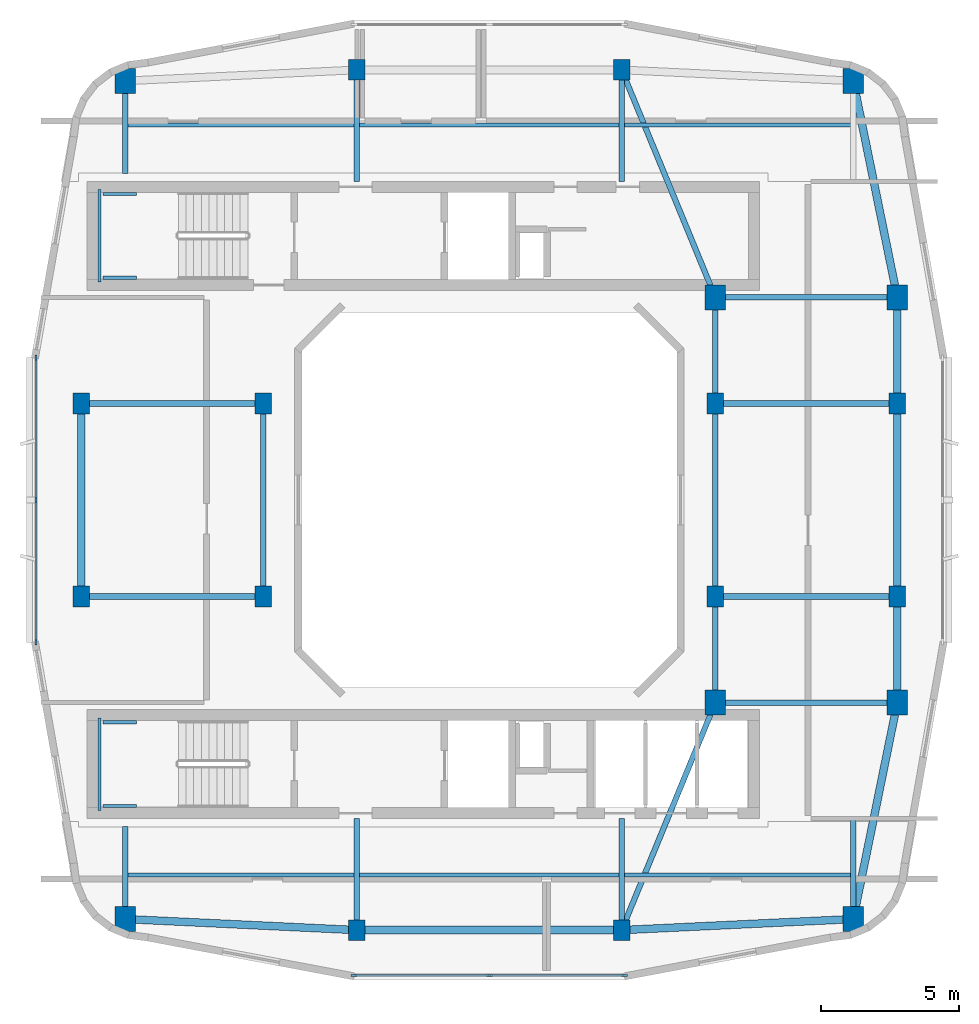
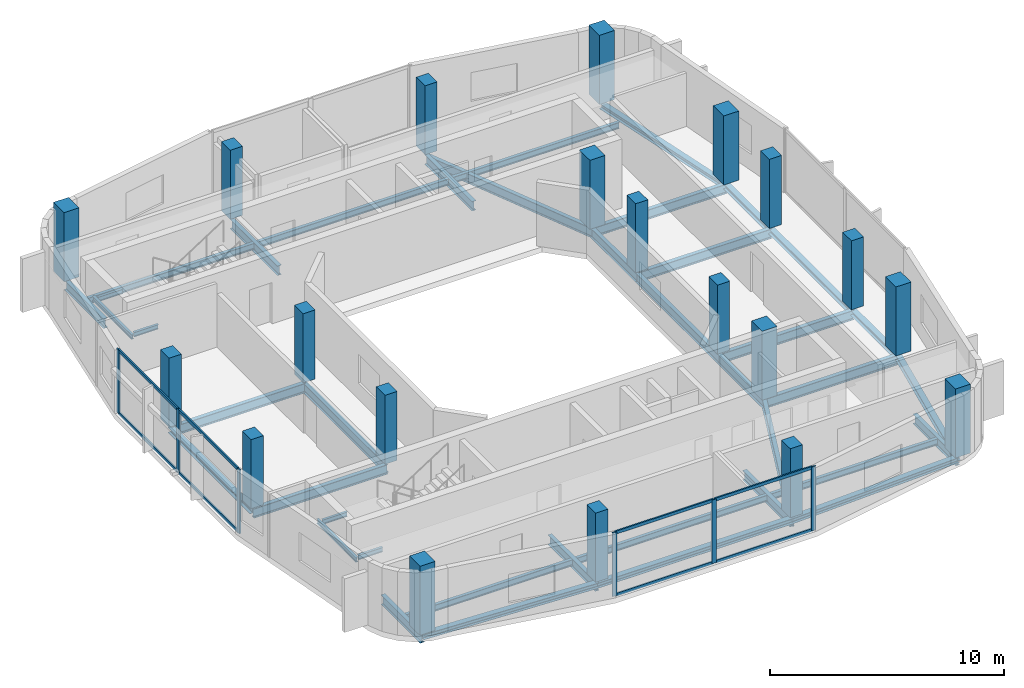
# One storey, part 1 of 8: 40 beams, 20 columns, 14 members, 2 elements without a shape of their own.
"""IFC4 building model written with IfcOpenShell, lengths in metres."""

from ifc_helpers import new_model, si_unit, derived_unit, direction, frame, origin, origin_2d, place, context, subcontext, project, spatial, rectangle, i_section, extrude, material, layer, layer_set, material_profile, profile_set, type_object, element, aggregate, save


model = new_model("IFC4")

# Units and contexts
model_context = context("Model", 3, precision=1e-05, world=origin(), true_north=direction((0.0, 1.0)))
body_context = subcontext(model_context, "Body", "Model", "MODEL_VIEW")
ifc_project = project(units=[si_unit("LENGTHUNIT", "METRE"), si_unit("AREAUNIT", "SQUARE_METRE"), si_unit("VOLUMEUNIT", "CUBIC_METRE"), si_unit("PLANEANGLEUNIT", "RADIAN"), si_unit("MASSUNIT", "GRAM", prefix="KILO"), derived_unit("THERMALTRANSMITTANCEUNIT", [(si_unit("POWERUNIT", "WATT"), 1), (si_unit("LENGTHUNIT", "METRE"), -2), (si_unit("THERMODYNAMICTEMPERATUREUNIT", "KELVIN"), -1)])], contexts=[model_context])

# Site, building, storey
site_placement = place(None, origin())
site = spatial("IfcSite", under=ifc_project, at=site_placement, CompositionType="ELEMENT")
building_placement = place(site_placement, origin())
building = spatial("IfcBuilding", under=site, at=building_placement, Name="Kivonza Crest Hotel", CompositionType="ELEMENT")
storey_placement = place(building_placement, frame((0.0, 0.0, 268.39990234375)))
storey = spatial("IfcBuildingStorey", under=building, at=storey_placement, Name="L73", CompositionType="ELEMENT", Elevation=268.39990234375)

# Columns
ifc_material_1 = material(Name="Concrete C50/60", Category="concrete")
ifc_material_profile_1 = material_profile(ifc_material_1, rectangle(XDim=0.60009765625, YDim=0.75, at=origin_2d()), Name="RC 750x600")
ifc_profile_set_1 = profile_set([ifc_material_profile_1], Name="Concrete C50/60")
column_type_1 = type_object("IfcColumnType", Name="CL-RC-750x600", PredefinedType="COLUMN", material=ifc_profile_set_1)
for number, where, z_axis, x_axis, name in (
    (1, (16.199951171875, 9.39990234375, 0.0), (0.0, 0.0, 1.0), (1.0, 0.0, 0.0), "Tower T1 L73 column S1"),
    (2, (25.800048828125, 9.39990234375, 0.0), (0.0, 0.0, 1.0), (1.0, 0.0, 0.0), "Tower T1 L73 column S2"),
    (3, (16.199951171875, 40.60009765625, 0.0), (0.0, 0.0, 1.0), (1.0, 0.0, 0.0), "Tower T1 L73 column N1"),
    (4, (25.800048828125, 40.60009765625, 0.0), (0.0, 0.0, 1.0), (1.0, 0.0, 0.0), "Tower T1 L73 column N2"),
    (5, (6.199951171875, 21.5, 0.0), (0.0, 0.0, 1.0), (1.0, 0.0, 0.0), "Tower T1 L73 column W1"),
    (6, (6.199951171875, 28.5, 0.0), (0.0, 0.0, 1.0), (1.0, 0.0, 0.0), "Tower T1 L73 column W2"),
    (7, (35.800048828125, 21.5, 0.0), (0.0, 0.0, 1.0), (1.0, 0.0, 0.0), "Tower T1 L73 column E1"),
    (8, (35.800048828125, 28.5, 0.0), (0.0, 0.0, 1.0), (1.0, 0.0, 0.0), "Tower T1 L73 column E2"),
    (9, (12.800048828125, 21.5, 0.0), (0.0, 0.0, 1.0), (1.0, 0.0, 0.0), "Tower T1 L73 column WL1"),
    (10, (12.800048828125, 28.5, 0.0), (0.0, 0.0, 1.0), (1.0, 0.0, 0.0), "Tower T1 L73 column WL2"),
    (11, (29.199951171875, 21.5, 0.0), (0.0, 0.0, 1.0), (1.0, 0.0, 0.0), "Tower T1 L73 column WR1"),
    (12, (29.199951171875, 28.5, 0.0), (0.0, 0.0, 1.0), (1.0, 0.0, 0.0), "Tower T1 L73 column WR2"),
):
    element("IfcColumn", number, at=place(storey_placement, frame(where, z_axis=z_axis, x_axis=x_axis)), inside=storey, type_object=column_type_1, Name=name, PredefinedType="COLUMN", context=body_context, shape_type="SweptSolid", body=[
        extrude(rectangle(XDim=0.60009765625, YDim=0.75, at=origin_2d()), origin(), (0.0, 0.0, 1.0), 3.60009765625),
    ])
ifc_material_profile_2 = material_profile(ifc_material_1, rectangle(XDim=0.75, YDim=0.89990234375, at=origin_2d()), Name="RC 900x750")
ifc_profile_set_2 = profile_set([ifc_material_profile_2], Name="Concrete C50/60")
column_type_2 = type_object("IfcColumnType", Name="CL-RC-900x750", PredefinedType="COLUMN", material=ifc_profile_set_2)
for number, where, z_axis, x_axis, name in (
    (13, (7.800048828125, 9.800048828125, 0.0), (0.0, 0.0, 1.0), (1.0, 0.0, 0.0), "Tower T1 L73 column SW"),
    (14, (34.199951171875, 9.800048828125, 0.0), (0.0, 0.0, 1.0), (1.0, 0.0, 0.0), "Tower T1 L73 column SE"),
    (15, (34.199951171875, 40.199951171875, 0.0), (0.0, 0.0, 1.0), (1.0, 0.0, 0.0), "Tower T1 L73 column NE"),
    (16, (7.800048828125, 40.199951171875, 0.0), (0.0, 0.0, 1.0), (1.0, 0.0, 0.0), "Tower T1 L73 column NW"),
    (17, (35.800048828125, 17.64990234375, 0.0), (0.0, 0.0, 1.0), (1.0, 0.0, 0.0), "Tower T1 L73 column PSE"),
    (18, (35.800048828125, 32.35009765625, 0.0), (0.0, 0.0, 1.0), (1.0, 0.0, 0.0), "Tower T1 L73 column PNE"),
    (19, (29.199951171875, 17.64990234375, 0.0), (0.0, 0.0, 1.0), (1.0, 0.0, 0.0), "Tower T1 L73 column TSE"),
    (20, (29.199951171875, 32.35009765625, 0.0), (0.0, 0.0, 1.0), (1.0, 0.0, 0.0), "Tower T1 L73 column TNE"),
):
    element("IfcColumn", number, at=place(storey_placement, frame(where, z_axis=z_axis, x_axis=x_axis)), inside=storey, type_object=column_type_2, Name=name, PredefinedType="COLUMN", context=body_context, shape_type="SweptSolid", body=[
        extrude(rectangle(XDim=0.75, YDim=0.89990234375, at=origin_2d()), origin(), (0.0, 0.0, 1.0), 3.60009765625),
    ])

# Beams
ifc_material_2 = material(Name="Steel S355", Category="steel")
ifc_material_profile_3 = material_profile(ifc_material_2, i_section(OverallWidth=0.280029296875, OverallDepth=0.280029296875, WebThickness=0.010498046875, FlangeThickness=0.01806640625, FilletRadius=0.02392578125, at=origin_2d()), Name="HEB 280")
ifc_profile_set_3 = profile_set([ifc_material_profile_3], Name="Steel S355")
beam_type_1 = type_object("IfcBeamType", Name="BM-HEB280", PredefinedType="SPANDREL", material=ifc_profile_set_3)
beam_1_placement = place(storey_placement, frame((16.199951171875, 9.39990234375, -0.419921875), z_axis=(1.0, 0.0, 0.0), x_axis=(0.0, 1.0, 0.0)))
element("IfcBeam", 21, at=beam_1_placement, inside=storey, type_object=beam_type_1, Name="Tower T1 L73 perimeter spandrel S1-S2", PredefinedType="SPANDREL", context=body_context, shape_type="SweptSolid", body=[
    extrude(i_section(OverallWidth=0.280029296875, OverallDepth=0.280029296875, WebThickness=0.010498046875, FlangeThickness=0.01806640625, FilletRadius=0.02392578125, at=origin_2d()), origin(), (0.0, 0.0, 1.0), 9.60009765625),
])
beam_2_placement = place(storey_placement, frame((25.800048828125, 9.39990234375, -0.419921875), z_axis=(0.998867283688, 0.047583080799, 0.0), x_axis=(-0.047583080799, 0.998867283688, 0.0)))
element("IfcBeam", 22, at=beam_2_placement, inside=storey, type_object=beam_type_1, Name="Tower T1 L73 perimeter spandrel S2-SE", PredefinedType="SPANDREL", context=body_context, shape_type="SweptSolid", body=[
    extrude(i_section(OverallWidth=0.280029296875, OverallDepth=0.280029296875, WebThickness=0.010498046875, FlangeThickness=0.01806640625, FilletRadius=0.02392578125, at=origin_2d()), origin(), (0.0, 0.0, 1.0), 8.409423828125),
])
beam_3_placement = place(storey_placement, frame((34.199951171875, 9.800048828125, -0.419921875), z_axis=(0.199730733965, 0.979850822273, 0.0), x_axis=(-0.979850822273, 0.199730733965, 0.0)))
element("IfcBeam", 23, at=beam_3_placement, inside=storey, type_object=beam_type_1, Name="Tower T1 L73 perimeter spandrel SE-PSE", PredefinedType="SPANDREL", context=body_context, shape_type="SweptSolid", body=[
    extrude(i_section(OverallWidth=0.280029296875, OverallDepth=0.280029296875, WebThickness=0.010498046875, FlangeThickness=0.01806640625, FilletRadius=0.02392578125, at=origin_2d()), origin(), (0.0, 0.0, 1.0), 8.01123046875),
])
beam_4_placement = place(storey_placement, frame((35.800048828125, 17.64990234375, -0.419921875), z_axis=(0.0, 1.0, 0.0), x_axis=(-1.0, 0.0, 0.0)))
element("IfcBeam", 24, at=beam_4_placement, inside=storey, type_object=beam_type_1, Name="Tower T1 L73 perimeter spandrel PSE-E1", PredefinedType="SPANDREL", context=body_context, shape_type="SweptSolid", body=[
    extrude(i_section(OverallWidth=0.280029296875, OverallDepth=0.280029296875, WebThickness=0.010498046875, FlangeThickness=0.01806640625, FilletRadius=0.02392578125, at=origin_2d()), origin(), (0.0, 0.0, 1.0), 3.85009765625),
])
beam_5_placement = place(storey_placement, frame((35.800048828125, 21.5, -0.419921875), z_axis=(0.0, 1.0, 0.0), x_axis=(-1.0, 0.0, 0.0)))
element("IfcBeam", 25, at=beam_5_placement, inside=storey, type_object=beam_type_1, Name="Tower T1 L73 perimeter spandrel E1-E2", PredefinedType="SPANDREL", context=body_context, shape_type="SweptSolid", body=[
    extrude(i_section(OverallWidth=0.280029296875, OverallDepth=0.280029296875, WebThickness=0.010498046875, FlangeThickness=0.01806640625, FilletRadius=0.02392578125, at=origin_2d()), origin(), (0.0, 0.0, 1.0), 7.0),
])
beam_6_placement = place(storey_placement, frame((35.800048828125, 28.5, -0.419921875), z_axis=(0.0, 1.0, 0.0), x_axis=(-1.0, 0.0, 0.0)))
element("IfcBeam", 26, at=beam_6_placement, inside=storey, type_object=beam_type_1, Name="Tower T1 L73 perimeter spandrel E2-PNE", PredefinedType="SPANDREL", context=body_context, shape_type="SweptSolid", body=[
    extrude(i_section(OverallWidth=0.280029296875, OverallDepth=0.280029296875, WebThickness=0.010498046875, FlangeThickness=0.01806640625, FilletRadius=0.02392578125, at=origin_2d()), origin(), (0.0, 0.0, 1.0), 3.85009765625),
])
beam_7_placement = place(storey_placement, frame((35.800048828125, 32.35009765625, -0.419921875), z_axis=(-0.199730733965, 0.979850822273, 0.0), x_axis=(-0.979850822273, -0.199730733965, 0.0)))
element("IfcBeam", 27, at=beam_7_placement, inside=storey, type_object=beam_type_1, Name="Tower T1 L73 perimeter spandrel PNE-NE", PredefinedType="SPANDREL", context=body_context, shape_type="SweptSolid", body=[
    extrude(i_section(OverallWidth=0.280029296875, OverallDepth=0.280029296875, WebThickness=0.010498046875, FlangeThickness=0.01806640625, FilletRadius=0.02392578125, at=origin_2d()), origin(), (0.0, 0.0, 1.0), 8.01123046875),
])
beam_8_placement = place(storey_placement, frame((6.199951171875, 28.5, -0.419921875), z_axis=(0.0, -1.0, 0.0), x_axis=(1.0, 0.0, 0.0)))
element("IfcBeam", 28, at=beam_8_placement, inside=storey, type_object=beam_type_1, Name="Tower T1 L73 perimeter spandrel W2-W1", PredefinedType="SPANDREL", context=body_context, shape_type="SweptSolid", body=[
    extrude(i_section(OverallWidth=0.280029296875, OverallDepth=0.280029296875, WebThickness=0.010498046875, FlangeThickness=0.01806640625, FilletRadius=0.02392578125, at=origin_2d()), origin(), (0.0, 0.0, 1.0), 7.0),
])
beam_9_placement = place(storey_placement, frame((7.800048828125, 9.800048828125, -0.419921875), z_axis=(0.998867283688, -0.047583080799, 0.0), x_axis=(0.047583080799, 0.998867283688, 0.0)))
element("IfcBeam", 29, at=beam_9_placement, inside=storey, type_object=beam_type_1, Name="Tower T1 L73 perimeter spandrel SW-S1", PredefinedType="SPANDREL", context=body_context, shape_type="SweptSolid", body=[
    extrude(i_section(OverallWidth=0.280029296875, OverallDepth=0.280029296875, WebThickness=0.010498046875, FlangeThickness=0.01806640625, FilletRadius=0.02392578125, at=origin_2d()), origin(), (0.0, 0.0, 1.0), 8.409423828125),
])
ifc_material_profile_4 = material_profile(ifc_material_2, i_section(OverallWidth=0.159912109375, OverallDepth=0.330078125, WebThickness=0.007568359375, FlangeThickness=0.011474609375, FilletRadius=0.01806640625, at=origin_2d()), Name="IPE 330")
ifc_profile_set_4 = profile_set([ifc_material_profile_4], Name="Steel S355")
beam_type_2 = type_object("IfcBeamType", Name="BM-IPE330", PredefinedType="JOIST", material=ifc_profile_set_4)
beam_10_placement = place(storey_placement, frame((7.8798828125, 11.39990234375, -0.44482421875), z_axis=(1.0, 0.0, 0.0), x_axis=(0.0, 1.0, 0.0)))
element("IfcBeam", 30, at=beam_10_placement, inside=storey, type_object=beam_type_2, Name="Tower T1 L73 South-West floor joist", PredefinedType="JOIST", context=body_context, shape_type="SweptSolid", body=[
    extrude(i_section(OverallWidth=0.159912109375, OverallDepth=0.330078125, WebThickness=0.007568359375, FlangeThickness=0.011474609375, FilletRadius=0.01806640625, at=origin_2d()), origin(), (0.0, 0.0, 1.0), 8.240234375),
])
beam_11_placement = place(storey_placement, frame((16.280029296875, 11.39990234375, -0.44482421875), z_axis=(1.0, 0.0, 0.0), x_axis=(0.0, 1.0, 0.0)))
element("IfcBeam", 31, at=beam_11_placement, inside=storey, type_object=beam_type_2, Name="Tower T1 L73 South-Mid floor joist", PredefinedType="JOIST", context=body_context, shape_type="SweptSolid", body=[
    extrude(i_section(OverallWidth=0.159912109375, OverallDepth=0.330078125, WebThickness=0.007568359375, FlangeThickness=0.011474609375, FilletRadius=0.01806640625, at=origin_2d()), origin(), (0.0, 0.0, 1.0), 9.43994140625),
])
for number, where, z_axis, x_axis, name in (
    (32, (25.8798828125, 11.39990234375, -0.44482421875), (1.0, 0.0, 0.0), (0.0, 1.0, 0.0), "Tower T1 L73 South-East floor joist"),
    (33, (7.8798828125, 38.60009765625, -0.44482421875), (1.0, 0.0, 0.0), (0.0, 1.0, 0.0), "Tower T1 L73 North-West floor joist"),
):
    element("IfcBeam", number, at=place(storey_placement, frame(where, z_axis=z_axis, x_axis=x_axis)), inside=storey, type_object=beam_type_2, Name=name, PredefinedType="JOIST", context=body_context, shape_type="SweptSolid", body=[
        extrude(i_section(OverallWidth=0.159912109375, OverallDepth=0.330078125, WebThickness=0.007568359375, FlangeThickness=0.011474609375, FilletRadius=0.01806640625, at=origin_2d()), origin(), (0.0, 0.0, 1.0), 8.240234375),
    ])
beam_12_placement = place(storey_placement, frame((16.280029296875, 38.60009765625, -0.44482421875), z_axis=(1.0, 0.0, 0.0), x_axis=(0.0, 1.0, 0.0)))
element("IfcBeam", 34, at=beam_12_placement, inside=storey, type_object=beam_type_2, Name="Tower T1 L73 North-Mid floor joist", PredefinedType="JOIST", context=body_context, shape_type="SweptSolid", body=[
    extrude(i_section(OverallWidth=0.159912109375, OverallDepth=0.330078125, WebThickness=0.007568359375, FlangeThickness=0.011474609375, FilletRadius=0.01806640625, at=origin_2d()), origin(), (0.0, 0.0, 1.0), 9.43994140625),
])
beam_13_placement = place(storey_placement, frame((25.8798828125, 38.60009765625, -0.44482421875), z_axis=(1.0, 0.0, 0.0), x_axis=(0.0, 1.0, 0.0)))
element("IfcBeam", 35, at=beam_13_placement, inside=storey, type_object=beam_type_2, Name="Tower T1 L73 North-East floor joist", PredefinedType="JOIST", context=body_context, shape_type="SweptSolid", body=[
    extrude(i_section(OverallWidth=0.159912109375, OverallDepth=0.330078125, WebThickness=0.007568359375, FlangeThickness=0.011474609375, FilletRadius=0.01806640625, at=origin_2d()), origin(), (0.0, 0.0, 1.0), 8.240234375),
])
ifc_material_profile_5 = material_profile(ifc_material_2, i_section(OverallWidth=0.199951171875, OverallDepth=0.5, WebThickness=0.01025390625, FlangeThickness=0.01611328125, FilletRadius=0.02099609375, at=origin_2d()), Name="IPE 500")
ifc_profile_set_5 = profile_set([ifc_material_profile_5], Name="Steel S355")
beam_type_3 = type_object("IfcBeamType", Name="BM-IPE500", PredefinedType="BEAM", material=ifc_profile_set_5)
for number, where, z_axis, x_axis, name in (
    (36, (6.199951171875, 21.5, -0.52978515625), (1.0, 0.0, 0.0), (0.0, 1.0, 0.0), "Tower T1 L73 primary girder W1-WL1"),
    (37, (6.199951171875, 28.5, -0.52978515625), (1.0, 0.0, 0.0), (0.0, 1.0, 0.0), "Tower T1 L73 primary girder W2-WL2"),
):
    element("IfcBeam", number, at=place(storey_placement, frame(where, z_axis=z_axis, x_axis=x_axis)), inside=storey, type_object=beam_type_3, Name=name, PredefinedType="BEAM", context=body_context, shape_type="SweptSolid", body=[
        extrude(i_section(OverallWidth=0.199951171875, OverallDepth=0.5, WebThickness=0.01025390625, FlangeThickness=0.01611328125, FilletRadius=0.02099609375, at=origin_2d()), origin(), (0.0, 0.0, 1.0), 6.60009765625),
    ])
beam_14_placement = place(storey_placement, frame((12.800048828125, 21.5, -0.52978515625), z_axis=(0.0, 1.0, 0.0), x_axis=(-1.0, 0.0, 0.0)))
element("IfcBeam", 38, at=beam_14_placement, inside=storey, type_object=beam_type_3, Name="Tower T1 L73 primary girder WL1-WL2", PredefinedType="BEAM", context=body_context, shape_type="SweptSolid", body=[
    extrude(i_section(OverallWidth=0.199951171875, OverallDepth=0.5, WebThickness=0.01025390625, FlangeThickness=0.01611328125, FilletRadius=0.02099609375, at=origin_2d()), origin(), (0.0, 0.0, 1.0), 7.0),
])
for number, where, z_axis, x_axis, name in (
    (39, (25.800048828125, 9.39990234375, -0.52978515625), (0.381022260404, 0.924565864109, 0.0), (-0.924565864109, 0.381022260404, 0.0), "Tower T1 L73 primary girder S1-TSE"),
    (40, (25.800048828125, 40.60009765625, -0.52978515625), (0.381022260404, -0.924565864109, 0.0), (0.924565864109, 0.381022260404, 0.0), "Tower T1 L73 primary girder N1-TNE"),
):
    element("IfcBeam", number, at=place(storey_placement, frame(where, z_axis=z_axis, x_axis=x_axis)), inside=storey, type_object=beam_type_3, Name=name, PredefinedType="BEAM", context=body_context, shape_type="SweptSolid", body=[
        extrude(i_section(OverallWidth=0.199951171875, OverallDepth=0.5, WebThickness=0.01025390625, FlangeThickness=0.01611328125, FilletRadius=0.02099609375, at=origin_2d()), origin(), (0.0, 0.0, 1.0), 8.923095703125),
    ])
for number, where, z_axis, x_axis, name in (
    (41, (29.199951171875, 17.64990234375, -0.52978515625), (1.0, 0.0, 0.0), (0.0, 1.0, 0.0), "Tower T1 L73 primary girder TSE-PSE"),
    (42, (29.199951171875, 32.35009765625, -0.52978515625), (1.0, 0.0, 0.0), (0.0, 1.0, 0.0), "Tower T1 L73 primary girder TNE-PNE"),
):
    element("IfcBeam", number, at=place(storey_placement, frame(where, z_axis=z_axis, x_axis=x_axis)), inside=storey, type_object=beam_type_3, Name=name, PredefinedType="BEAM", context=body_context, shape_type="SweptSolid", body=[
        extrude(i_section(OverallWidth=0.199951171875, OverallDepth=0.5, WebThickness=0.01025390625, FlangeThickness=0.01611328125, FilletRadius=0.02099609375, at=origin_2d()), origin(), (0.0, 0.0, 1.0), 6.60009765625),
    ])
beam_15_placement = place(storey_placement, frame((29.199951171875, 21.5, -0.52978515625), z_axis=(0.0, 1.0, 0.0), x_axis=(-1.0, 0.0, 0.0)))
element("IfcBeam", 43, at=beam_15_placement, inside=storey, type_object=beam_type_3, Name="Tower T1 L73 primary girder WR1-WR2", PredefinedType="BEAM", context=body_context, shape_type="SweptSolid", body=[
    extrude(i_section(OverallWidth=0.199951171875, OverallDepth=0.5, WebThickness=0.01025390625, FlangeThickness=0.01611328125, FilletRadius=0.02099609375, at=origin_2d()), origin(), (0.0, 0.0, 1.0), 7.0),
])
for number, where, z_axis, x_axis, name in (
    (44, (29.199951171875, 17.64990234375, -0.52978515625), (0.0, 1.0, 0.0), (-1.0, 0.0, 0.0), "Tower T1 L73 primary girder TSE-WR1"),
    (45, (29.199951171875, 28.5, -0.52978515625), (0.0, 1.0, 0.0), (-1.0, 0.0, 0.0), "Tower T1 L73 primary girder WR2-TNE"),
):
    element("IfcBeam", number, at=place(storey_placement, frame(where, z_axis=z_axis, x_axis=x_axis)), inside=storey, type_object=beam_type_3, Name=name, PredefinedType="BEAM", context=body_context, shape_type="SweptSolid", body=[
        extrude(i_section(OverallWidth=0.199951171875, OverallDepth=0.5, WebThickness=0.01025390625, FlangeThickness=0.01611328125, FilletRadius=0.02099609375, at=origin_2d()), origin(), (0.0, 0.0, 1.0), 3.85009765625),
    ])
for number, where, z_axis, x_axis, name in (
    (46, (29.199951171875, 21.5, -0.52978515625), (1.0, 0.0, 0.0), (0.0, 1.0, 0.0), "Tower T1 L73 primary girder WR1-E1"),
    (47, (29.199951171875, 28.5, -0.52978515625), (1.0, 0.0, 0.0), (0.0, 1.0, 0.0), "Tower T1 L73 primary girder WR2-E2"),
):
    element("IfcBeam", number, at=place(storey_placement, frame(where, z_axis=z_axis, x_axis=x_axis)), inside=storey, type_object=beam_type_3, Name=name, PredefinedType="BEAM", context=body_context, shape_type="SweptSolid", body=[
        extrude(i_section(OverallWidth=0.199951171875, OverallDepth=0.5, WebThickness=0.01025390625, FlangeThickness=0.01611328125, FilletRadius=0.02099609375, at=origin_2d()), origin(), (0.0, 0.0, 1.0), 6.60009765625),
    ])
beam_16_placement = place(storey_placement, frame((7.800048828125, 9.800048828125, -0.52978515625), z_axis=(0.0, 1.0, 0.0), x_axis=(-1.0, 0.0, 0.0)))
element("IfcBeam", 48, at=beam_16_placement, inside=storey, type_object=beam_type_3, Name="Tower T1 L73 radial core girder RSW", PredefinedType="BEAM", context=body_context, shape_type="SweptSolid", body=[
    extrude(i_section(OverallWidth=0.199951171875, OverallDepth=0.5, WebThickness=0.01025390625, FlangeThickness=0.01611328125, FilletRadius=0.02099609375, at=origin_2d()), origin(), (0.0, 0.0, 1.0), 3.349853515625),
])
for number, where, z_axis, x_axis, name in (
    (49, (16.199951171875, 9.39990234375, -0.52978515625), (0.0, 1.0, 0.0), (-1.0, 0.0, 0.0), "Tower T1 L73 radial core girder RS1"),
    (50, (25.800048828125, 9.39990234375, -0.52978515625), (0.0, 1.0, 0.0), (-1.0, 0.0, 0.0), "Tower T1 L73 radial core girder RS2"),
):
    element("IfcBeam", number, at=place(storey_placement, frame(where, z_axis=z_axis, x_axis=x_axis)), inside=storey, type_object=beam_type_3, Name=name, PredefinedType="BEAM", context=body_context, shape_type="SweptSolid", body=[
        extrude(i_section(OverallWidth=0.199951171875, OverallDepth=0.5, WebThickness=0.01025390625, FlangeThickness=0.01611328125, FilletRadius=0.02099609375, at=origin_2d()), origin(), (0.0, 0.0, 1.0), 4.050048828125),
    ])
beam_17_placement = place(storey_placement, frame((34.199951171875, 9.800048828125, -0.52978515625), z_axis=(0.0, 1.0, 0.0), x_axis=(-1.0, 0.0, 0.0)))
element("IfcBeam", 51, at=beam_17_placement, inside=storey, type_object=beam_type_3, Name="Tower T1 L73 radial core girder RSE", PredefinedType="BEAM", context=body_context, shape_type="SweptSolid", body=[
    extrude(i_section(OverallWidth=0.199951171875, OverallDepth=0.5, WebThickness=0.01025390625, FlangeThickness=0.01611328125, FilletRadius=0.02099609375, at=origin_2d()), origin(), (0.0, 0.0, 1.0), 3.64990234375),
])
beam_18_placement = place(storey_placement, frame((7.800048828125, 40.199951171875, -0.52978515625), z_axis=(0.0, -1.0, 0.0), x_axis=(1.0, 0.0, 0.0)))
element("IfcBeam", 52, at=beam_18_placement, inside=storey, type_object=beam_type_3, Name="Tower T1 L73 radial core girder RNW", PredefinedType="BEAM", context=body_context, shape_type="SweptSolid", body=[
    extrude(i_section(OverallWidth=0.199951171875, OverallDepth=0.5, WebThickness=0.01025390625, FlangeThickness=0.01611328125, FilletRadius=0.02099609375, at=origin_2d()), origin(), (0.0, 0.0, 1.0), 3.349853515625),
])
for number, where, z_axis, x_axis, name in (
    (53, (16.199951171875, 40.60009765625, -0.52978515625), (0.0, -1.0, 0.0), (1.0, 0.0, 0.0), "Tower T1 L73 radial core girder RN1"),
    (54, (25.800048828125, 40.60009765625, -0.52978515625), (0.0, -1.0, 0.0), (1.0, 0.0, 0.0), "Tower T1 L73 radial core girder RN2"),
):
    element("IfcBeam", number, at=place(storey_placement, frame(where, z_axis=z_axis, x_axis=x_axis)), inside=storey, type_object=beam_type_3, Name=name, PredefinedType="BEAM", context=body_context, shape_type="SweptSolid", body=[
        extrude(i_section(OverallWidth=0.199951171875, OverallDepth=0.5, WebThickness=0.01025390625, FlangeThickness=0.01611328125, FilletRadius=0.02099609375, at=origin_2d()), origin(), (0.0, 0.0, 1.0), 4.050048828125),
    ])
ifc_material_profile_6 = material_profile(ifc_material_2, i_section(OverallWidth=0.1201171875, OverallDepth=0.239990234375, WebThickness=0.006103515625, FlangeThickness=0.009765625, FilletRadius=0.014892578125, at=origin_2d()), Name="IPE 240")
ifc_profile_set_6 = profile_set([ifc_material_profile_6], Name="Steel S355")
beam_type_4 = type_object("IfcBeamType", Name="BM-LLDG-240", PredefinedType="BEAM", material=ifc_profile_set_6)
beam_19_placement = place(storey_placement, frame((6.860107421875, 32.89990234375, 1.47998046875), z_axis=(0.0, 1.0, 0.0), x_axis=(-1.0, 0.0, 0.0)))
element("IfcBeam", 55, at=beam_19_placement, inside=storey, type_object=beam_type_4, Name="Stair ST-T1-N L73 West landing corbel", PredefinedType="BEAM", context=body_context, shape_type="SweptSolid", body=[
    extrude(i_section(OverallWidth=0.1201171875, OverallDepth=0.239990234375, WebThickness=0.006103515625, FlangeThickness=0.009765625, FilletRadius=0.014892578125, at=origin_2d()), origin(), (0.0, 0.0, 1.0), 3.360107421875),
])
for number, where, z_axis, x_axis, name in (
    (56, (6.989990234375, 33.06005859375, 1.47998046875), (1.0, 0.0, 0.0), (0.0, 1.0, 0.0), "Stair ST-T1-N L73 South landing corbel"),
    (57, (6.989990234375, 36.10009765625, 1.47998046875), (1.0, 0.0, 0.0), (0.0, 1.0, 0.0), "Stair ST-T1-N L73 North landing corbel"),
):
    element("IfcBeam", number, at=place(storey_placement, frame(where, z_axis=z_axis, x_axis=x_axis)), inside=storey, type_object=beam_type_4, Name=name, PredefinedType="BEAM", context=body_context, shape_type="SweptSolid", body=[
        extrude(i_section(OverallWidth=0.1201171875, OverallDepth=0.239990234375, WebThickness=0.006103515625, FlangeThickness=0.009765625, FilletRadius=0.014892578125, at=origin_2d()), origin(), (0.0, 0.0, 1.0), 1.2099609375),
    ])
beam_20_placement = place(storey_placement, frame((6.860107421875, 13.739990234375, 1.47998046875), z_axis=(0.0, 1.0, 0.0), x_axis=(-1.0, 0.0, 0.0)))
element("IfcBeam", 58, at=beam_20_placement, inside=storey, type_object=beam_type_4, Name="Stair ST-T1-S L73 West landing corbel", PredefinedType="BEAM", context=body_context, shape_type="SweptSolid", body=[
    extrude(i_section(OverallWidth=0.1201171875, OverallDepth=0.239990234375, WebThickness=0.006103515625, FlangeThickness=0.009765625, FilletRadius=0.014892578125, at=origin_2d()), origin(), (0.0, 0.0, 1.0), 3.360107421875),
])
for number, where, z_axis, x_axis, name in (
    (59, (6.989990234375, 13.89990234375, 1.47998046875), (1.0, 0.0, 0.0), (0.0, 1.0, 0.0), "Stair ST-T1-S L73 South landing corbel"),
    (60, (6.989990234375, 16.93994140625, 1.47998046875), (1.0, 0.0, 0.0), (0.0, 1.0, 0.0), "Stair ST-T1-S L73 North landing corbel"),
):
    element("IfcBeam", number, at=place(storey_placement, frame(where, z_axis=z_axis, x_axis=x_axis)), inside=storey, type_object=beam_type_4, Name=name, PredefinedType="BEAM", context=body_context, shape_type="SweptSolid", body=[
        extrude(i_section(OverallWidth=0.1201171875, OverallDepth=0.239990234375, WebThickness=0.006103515625, FlangeThickness=0.009765625, FilletRadius=0.014892578125, at=origin_2d()), origin(), (0.0, 0.0, 1.0), 1.2099609375),
    ])

# Curtain wall, members
ifc_material_3 = material(Name="Anodised bronze aluminium and low-E double glazing", Category="aluminium")
ifc_layer = layer(ifc_material_3, 0.199951171875)
ifc_layer_set = layer_set([ifc_layer], Name="Anodised bronze aluminium and low-E double glazing")
curtain_wall_type = type_object("IfcCurtainWallType", Name="CW-SYS-6", PredefinedType="NOTDEFINED", material=ifc_layer_set)
curtain_wall_1_placement = place(storey_placement, origin())
curtain_wall_1 = element("IfcCurtainWall", 61, at=curtain_wall_1_placement, inside=storey, type_object=curtain_wall_type, Name="L73 unitised curtain wall CW-T1-L73-08", PredefinedType="NOTDEFINED")
ifc_material_4 = material(Name="Anodised bronze aluminium", Category="aluminium")
ifc_material_profile_7 = material_profile(ifc_material_4, rectangle(XDim=0.074951171875, YDim=0.219970703125, at=origin_2d()), Name="CW-M 75x220")
ifc_profile_set_7 = profile_set([ifc_material_profile_7], Name="Anodised bronze aluminium")
member_type_1 = type_object("IfcMemberType", Name="CW-MUL-75x220", PredefinedType="MULLION", material=ifc_profile_set_7)
member_1_placement = place(storey_placement, frame((16.097412109375, 7.760009765625, 0.0), z_axis=(0.0, 0.0, 1.0), x_axis=(0.0, 1.0, 0.0)))
member_1 = element("IfcMember", 62, at=member_1_placement, type_object=member_type_1, Name="CW-6 mullion 1", PredefinedType="MULLION", context=body_context, shape_type="SweptSolid", body=[
    extrude(rectangle(XDim=0.074951171875, YDim=0.219970703125, at=origin_2d()), origin(), (0.0, 0.0, 1.0), 3.320068359375),
])
member_2_placement = place(storey_placement, frame((21.0, 7.760009765625, 0.0), z_axis=(0.0, 0.0, 1.0), x_axis=(0.0, 1.0, 0.0)))
member_2 = element("IfcMember", 63, at=member_2_placement, type_object=member_type_1, Name="CW-6 mullion 2", PredefinedType="MULLION", context=body_context, shape_type="SweptSolid", body=[
    extrude(rectangle(XDim=0.074951171875, YDim=0.219970703125, at=origin_2d()), origin(), (0.0, 0.0, 1.0), 3.320068359375),
])
member_3_placement = place(storey_placement, frame((25.902587890625, 7.760009765625, 0.0), z_axis=(0.0, 0.0, 1.0), x_axis=(0.0, 1.0, 0.0)))
member_3 = element("IfcMember", 64, at=member_3_placement, type_object=member_type_1, Name="CW-6 mullion 3", PredefinedType="MULLION", context=body_context, shape_type="SweptSolid", body=[
    extrude(rectangle(XDim=0.074951171875, YDim=0.219970703125, at=origin_2d()), origin(), (0.0, 0.0, 1.0), 3.320068359375),
])

curtain_wall_2_placement = place(storey_placement, origin())
curtain_wall_2 = element("IfcCurtainWall", 65, at=curtain_wall_2_placement, inside=storey, type_object=curtain_wall_type, Name="L73 unitised curtain wall CW-T1-L73-35", PredefinedType="NOTDEFINED")
member_4_placement = place(storey_placement, frame((4.56005859375, 30.142578125, 0.0), z_axis=(0.0, 0.0, 1.0), x_axis=(1.0, 0.0, 0.0)))
member_4 = element("IfcMember", 66, at=member_4_placement, type_object=member_type_1, Name="CW-6 mullion 1", PredefinedType="MULLION", context=body_context, shape_type="SweptSolid", body=[
    extrude(rectangle(XDim=0.074951171875, YDim=0.219970703125, at=origin_2d()), origin(), (0.0, 0.0, 1.0), 3.320068359375),
])
member_5_placement = place(storey_placement, frame((4.56005859375, 25.0, 0.0), z_axis=(0.0, 0.0, 1.0), x_axis=(1.0, 0.0, 0.0)))
member_5 = element("IfcMember", 67, at=member_5_placement, type_object=member_type_1, Name="CW-6 mullion 2", PredefinedType="MULLION", context=body_context, shape_type="SweptSolid", body=[
    extrude(rectangle(XDim=0.074951171875, YDim=0.219970703125, at=origin_2d()), origin(), (0.0, 0.0, 1.0), 3.320068359375),
])
member_6_placement = place(storey_placement, frame((4.56005859375, 19.857421875, 0.0), z_axis=(0.0, 0.0, 1.0), x_axis=(1.0, 0.0, 0.0)))
member_6 = element("IfcMember", 68, at=member_6_placement, type_object=member_type_1, Name="CW-6 mullion 3", PredefinedType="MULLION", context=body_context, shape_type="SweptSolid", body=[
    extrude(rectangle(XDim=0.074951171875, YDim=0.219970703125, at=origin_2d()), origin(), (0.0, 0.0, 1.0), 3.320068359375),
])

# Member
ifc_material_profile_8 = material_profile(ifc_material_4, rectangle(XDim=0.074951171875, YDim=0.159912109375, at=origin_2d()), Name="CW-T 75x160")
ifc_profile_set_8 = profile_set([ifc_material_profile_8], Name="Anodised bronze aluminium")
member_type_2 = type_object("IfcMemberType", Name="CW-TRN-75x160", PredefinedType="USERDEFINED", material=ifc_profile_set_8)
member_7_placement = place(storey_placement, frame((16.135009765625, 7.760009765625, 0.03759765625), z_axis=(1.0, 0.0, 0.0), x_axis=(0.0, 1.0, 0.0)))
member_7 = element("IfcMember", 69, at=member_7_placement, type_object=member_type_2, Name="CW-6 transom 1.1", ObjectType="TRANSOM", PredefinedType="USERDEFINED", context=body_context, shape_type="SweptSolid", body=[
    extrude(rectangle(XDim=0.074951171875, YDim=0.159912109375, at=origin_2d()), origin(), (0.0, 0.0, 1.0), 4.827392578125),
])

member_8_placement = place(storey_placement, frame((16.135009765625, 7.760009765625, 3.28271484375), z_axis=(1.0, 0.0, 0.0), x_axis=(0.0, 1.0, 0.0)))
member_8 = element("IfcMember", 70, at=member_8_placement, type_object=member_type_2, Name="CW-6 transom 1.2", ObjectType="TRANSOM", PredefinedType="USERDEFINED", context=body_context, shape_type="SweptSolid", body=[
    extrude(rectangle(XDim=0.074951171875, YDim=0.159912109375, at=origin_2d()), origin(), (0.0, 0.0, 1.0), 4.827392578125),
])

member_9_placement = place(storey_placement, frame((21.03759765625, 7.760009765625, 0.03759765625), z_axis=(1.0, 0.0, 0.0), x_axis=(0.0, 1.0, 0.0)))
member_9 = element("IfcMember", 71, at=member_9_placement, type_object=member_type_2, Name="CW-6 transom 2.1", ObjectType="TRANSOM", PredefinedType="USERDEFINED", context=body_context, shape_type="SweptSolid", body=[
    extrude(rectangle(XDim=0.074951171875, YDim=0.159912109375, at=origin_2d()), origin(), (0.0, 0.0, 1.0), 4.827392578125),
])

member_10_placement = place(storey_placement, frame((21.03759765625, 7.760009765625, 3.28271484375), z_axis=(1.0, 0.0, 0.0), x_axis=(0.0, 1.0, 0.0)))
member_10 = element("IfcMember", 72, at=member_10_placement, type_object=member_type_2, Name="CW-6 transom 2.2", ObjectType="TRANSOM", PredefinedType="USERDEFINED", context=body_context, shape_type="SweptSolid", body=[
    extrude(rectangle(XDim=0.074951171875, YDim=0.159912109375, at=origin_2d()), origin(), (0.0, 0.0, 1.0), 4.827392578125),
])

aggregate(curtain_wall_1, [member_1, member_2, member_3, member_7, member_8, member_9, member_10])

member_11_placement = place(storey_placement, frame((4.56005859375, 30.10498046875, 0.03759765625), z_axis=(0.0, -1.0, 0.0), x_axis=(1.0, 0.0, 0.0)))
member_11 = element("IfcMember", 73, at=member_11_placement, type_object=member_type_2, Name="CW-6 transom 1.1", ObjectType="TRANSOM", PredefinedType="USERDEFINED", context=body_context, shape_type="SweptSolid", body=[
    extrude(rectangle(XDim=0.074951171875, YDim=0.159912109375, at=origin_2d()), origin(), (0.0, 0.0, 1.0), 5.0673828125),
])

member_12_placement = place(storey_placement, frame((4.56005859375, 30.10498046875, 3.28271484375), z_axis=(0.0, -1.0, 0.0), x_axis=(1.0, 0.0, 0.0)))
member_12 = element("IfcMember", 74, at=member_12_placement, type_object=member_type_2, Name="CW-6 transom 1.2", ObjectType="TRANSOM", PredefinedType="USERDEFINED", context=body_context, shape_type="SweptSolid", body=[
    extrude(rectangle(XDim=0.074951171875, YDim=0.159912109375, at=origin_2d()), origin(), (0.0, 0.0, 1.0), 5.0673828125),
])

member_13_placement = place(storey_placement, frame((4.56005859375, 24.96240234375, 0.03759765625), z_axis=(0.0, -1.0, 0.0), x_axis=(1.0, 0.0, 0.0)))
member_13 = element("IfcMember", 75, at=member_13_placement, type_object=member_type_2, Name="CW-6 transom 2.1", ObjectType="TRANSOM", PredefinedType="USERDEFINED", context=body_context, shape_type="SweptSolid", body=[
    extrude(rectangle(XDim=0.074951171875, YDim=0.159912109375, at=origin_2d()), origin(), (0.0, 0.0, 1.0), 5.0673828125),
])

member_14_placement = place(storey_placement, frame((4.56005859375, 24.96240234375, 3.28271484375), z_axis=(0.0, -1.0, 0.0), x_axis=(1.0, 0.0, 0.0)))
member_14 = element("IfcMember", 76, at=member_14_placement, type_object=member_type_2, Name="CW-6 transom 2.2", ObjectType="TRANSOM", PredefinedType="USERDEFINED", context=body_context, shape_type="SweptSolid", body=[
    extrude(rectangle(XDim=0.074951171875, YDim=0.159912109375, at=origin_2d()), origin(), (0.0, 0.0, 1.0), 5.0673828125),
])

aggregate(curtain_wall_2, [member_4, member_5, member_6, member_11, member_12, member_13, member_14])

save(model, "model.ifc")
